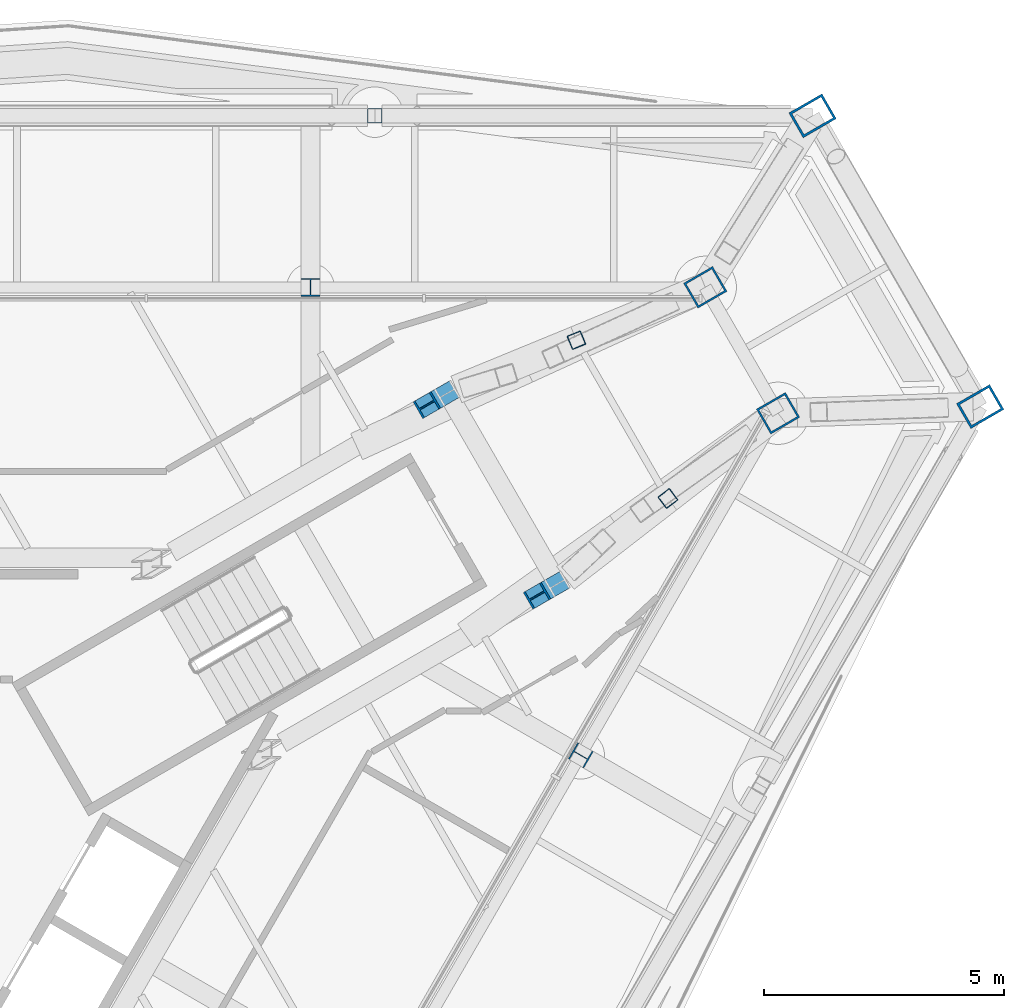
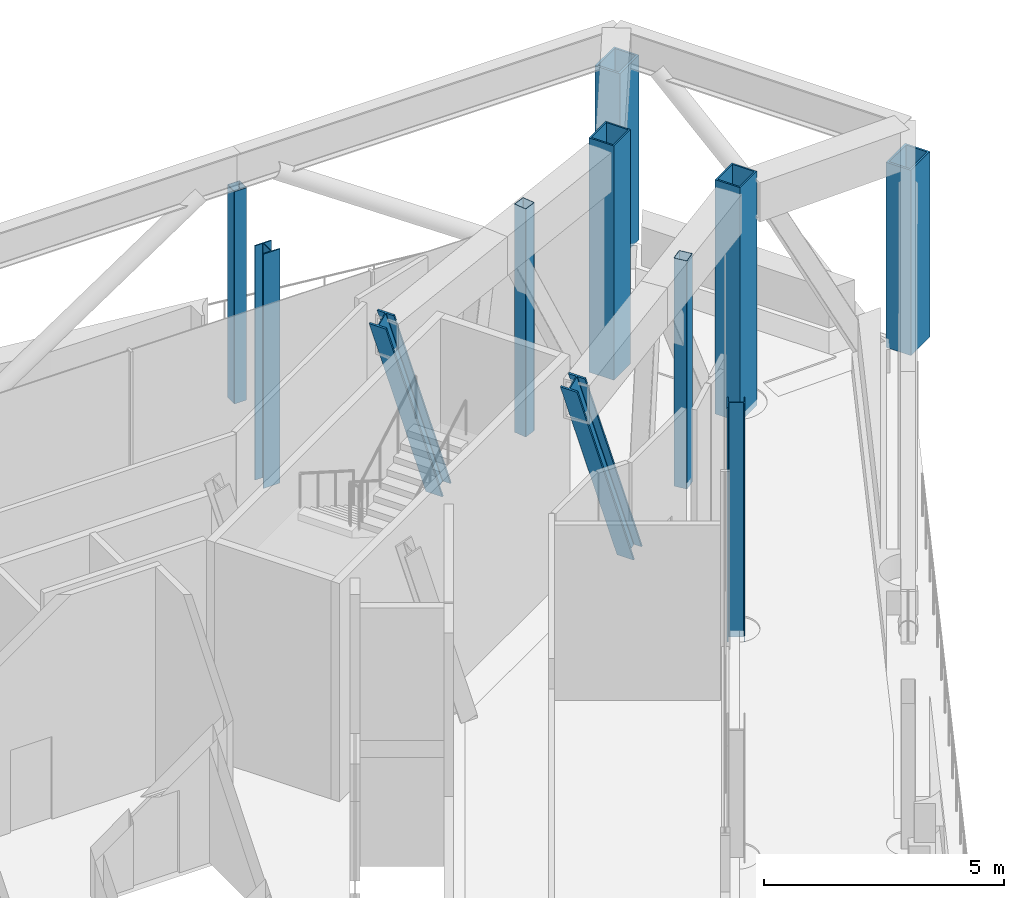
# One storey, part 4 of 25: 11 columns.
"""IFC4 building model written with IfcOpenShell, lengths in metres."""

import ifcopenshell
import ifcopenshell.guid

model = None  # the IFC model being written
_history = None  # IfcOwnerHistory: only IFC2X3 demands one
_inside = {}  # id of a spatial element -> (the spatial element, [elements in it])
_under = {}  # id of a project, library or spatial element -> (it, [spatial elements below it])
_declared = {}  # id of a project -> (the project, [libraries it declares])
_typed = {}  # id of a type object -> (the type object, [elements of that type])
_made_of = {}  # id of a material, layer set ... -> (it, [elements and type objects made of it])


def new_model(schema):
    """Start an empty IFC model of exactly this schema.

    Asked for "IFC4X3", IfcOpenShell would pick the latest addendum, in which some entities
    have other attributes; the version numbers below select the first issue.
    IFC2X3 requires an IfcOwnerHistory on every rooted entity: one is made here for all.
    """
    global model, _history
    if schema == "IFC4X3":
        model = ifcopenshell.file(schema_version=(4, 3, 0, 0))
    else:
        model = ifcopenshell.file(schema=schema)
    _inside.clear()
    _under.clear()
    _declared.clear()
    _typed.clear()
    _made_of.clear()
    _history = None
    if model.schema == "IFC2X3":
        org = make("IfcOrganization", Name="unknown")
        user = make(
            "IfcPersonAndOrganization",
            ThePerson=make("IfcPerson", FamilyName="unknown"),
            TheOrganization=org,
        )
        app = make(
            "IfcApplication",
            ApplicationDeveloper=org,
            Version="unknown",
            ApplicationFullName="unknown",
            ApplicationIdentifier="unknown",
        )
        _history = make(
            "IfcOwnerHistory",
            OwningUser=user,
            OwningApplication=app,
            ChangeAction="ADDED",
            CreationDate=0,
        )
    return model


def make(cls, **values):
    """One entity of the class cls with the attributes given. An attribute that is None is left unset."""
    return model.create_entity(
        cls, **{name: value for name, value in values.items() if value is not None}
    )


def rooted(cls, **values):
    """An entity with a GlobalId (a new one), such as an element, a storey or a relation."""
    return make(cls, GlobalId=ifcopenshell.guid.new(), OwnerHistory=_history, **values)


def si_unit(unit_type, name, prefix=None):
    """IfcSIUnit, for example si_unit("LENGTHUNIT", "METRE", prefix="MILLI")."""
    return make("IfcSIUnit", UnitType=unit_type, Prefix=prefix, Name=name)


def assignment(units):
    """IfcUnitAssignment: the units of a project."""
    return None if units is None else make("IfcUnitAssignment", Units=units)


def point(xyz):
    """IfcCartesianPoint."""
    return None if xyz is None else make("IfcCartesianPoint", Coordinates=xyz)


def direction(xyz):
    """IfcDirection."""
    return None if xyz is None else make("IfcDirection", DirectionRatios=xyz)


def frame(location, z_axis=None, x_axis=None):
    """IfcAxis2Placement3D, a coordinate frame: its origin and axes. An axis left out is left unset."""
    return make(
        "IfcAxis2Placement3D",
        Location=point(location),
        Axis=direction(z_axis),
        RefDirection=direction(x_axis),
    )


def frame_2d(location, x_axis=None):
    """IfcAxis2Placement2D, a coordinate frame in the plane: its origin and x axis."""
    return make(
        "IfcAxis2Placement2D", Location=point(location), RefDirection=direction(x_axis)
    )


def origin():
    """The frame at (0, 0, 0) with its axes left unset."""
    return frame((0.0, 0.0, 0.0))


def origin_2d():
    """The frame at (0, 0) in the plane with its x axis left unset."""
    return frame_2d((0.0, 0.0))


def place(relative_to, where):
    """IfcLocalPlacement: puts the frame where relative to a parent placement (None: the world)."""
    return make(
        "IfcLocalPlacement", PlacementRelTo=relative_to, RelativePlacement=where
    )


def context(
    kind, dimensions, precision=None, world=None, true_north=None, identifier=None
):
    """IfcGeometricRepresentationContext, for example the 3D "Model" context."""
    return make(
        "IfcGeometricRepresentationContext",
        ContextIdentifier=identifier,
        ContextType=kind,
        CoordinateSpaceDimension=dimensions,
        Precision=precision,
        WorldCoordinateSystem=world,
        TrueNorth=true_north,
    )


def subcontext(parent, identifier, kind, view, scale=None):
    """IfcGeometricRepresentationSubContext, for example "Body" below "Model"."""
    return make(
        "IfcGeometricRepresentationSubContext",
        ContextIdentifier=identifier,
        ContextType=kind,
        ParentContext=parent,
        TargetScale=scale,
        TargetView=view,
    )


def project(units=None, contexts=None):
    """IfcProject with its units and contexts."""
    return rooted(
        "IfcProject",
        Name="project",
        RepresentationContexts=contexts,
        UnitsInContext=assignment(units),
    )


def spatial(cls, under=None, at=None, **own):
    """A site, building, storey or space (cls), placed at a placement, below another one or the project."""
    s = rooted(cls, ObjectPlacement=at, **own)
    if under is not None:
        _under.setdefault(under.id(), (under, []))[1].append(s)
    return s


def profile(cls, at=None, kind="AREA", **sizes):
    """A parametric profile (cls). Its sizes go by their IFC names, for example OverallWidth=200.0."""
    return make(cls, ProfileType=kind, Position=at, **sizes)


def hollow_rectangle(**sizes):
    """IfcRectangleHollowProfileDef."""
    return profile("IfcRectangleHollowProfileDef", **sizes)


def i_section(**sizes):
    """IfcIShapeProfileDef."""
    return profile("IfcIShapeProfileDef", **sizes)


def extrude(swept, where, along, depth):
    """IfcExtrudedAreaSolid: the profile swept, set in the frame where, extruded along a direction by depth."""
    return make(
        "IfcExtrudedAreaSolid",
        SweptArea=swept,
        Position=where,
        ExtrudedDirection=direction(along),
        Depth=depth,
    )


def shape(context_of_items, identifier, shape_type, items):
    """IfcShapeRepresentation: the items that make up one representation, for example the "Body"."""
    return make(
        "IfcShapeRepresentation",
        ContextOfItems=context_of_items,
        RepresentationIdentifier=identifier,
        RepresentationType=shape_type,
        Items=items,
    )


def material(Name=None, Category=None):
    """IfcMaterial."""
    return make("IfcMaterial", Name=Name, Category=Category)


def material_profile(
    of_material, cross_section, Name=None, Category=None, Priority=None
):
    """IfcMaterialProfile: a cross section and its material."""
    return make(
        "IfcMaterialProfile",
        Name=Name,
        Material=of_material,
        Profile=cross_section,
        Priority=Priority,
        Category=Category,
    )


def profile_set(profiles, Name=None, composite=None):
    """IfcMaterialProfileSet."""
    return make(
        "IfcMaterialProfileSet",
        Name=Name,
        MaterialProfiles=profiles,
        CompositeProfile=composite,
    )


def made_of(thing, what):
    """Note that an element or type object is made of a material, layer set ...; save() writes the relation."""
    if what is not None:
        _made_of.setdefault(what.id(), (what, []))[1].append(thing)
    return thing


def type_object(cls, material=None, **own):
    """A type object (cls), such as IfcWallType, which elements share."""
    return made_of(rooted(cls, **own), material)


def element(
    cls,
    number,
    at=None,
    inside=None,
    cuts=None,
    type_object=None,
    material=None,
    context=None,
    identifier="Body",
    shape_type=None,
    held_by="IfcProductDefinitionShape",
    body=None,
    shapes=None,
    **own,
):
    """One element of the class cls, such as IfcWall. Its Tag is "e" and its number.

    at: its placement. inside: the storey or other place that contains it. cuts: it is an
    opening in that element (IfcRelVoidsElement). A single representation is given by context,
    identifier, shape_type and body (its items); several are given by shapes. held_by: the class
    of the entity that holds the representations. save() writes the other relations.
    """
    e = rooted(cls, Tag="e%d" % number, ObjectPlacement=at, **own)
    if body is not None:
        shapes = [shape(context, identifier, shape_type, body)]
    if shapes is not None:
        e.Representation = make(held_by, Representations=shapes)
    if inside is not None:
        _inside.setdefault(inside.id(), (inside, []))[1].append(e)
    if cuts is not None:
        rooted(
            "IfcRelVoidsElement", RelatingBuildingElement=cuts, RelatedOpeningElement=e
        )
    if type_object is not None:
        _typed.setdefault(type_object.id(), (type_object, []))[1].append(e)
    return made_of(e, material)


def aggregate(whole, parts):
    """IfcRelAggregates: a whole, such as a stair, and the parts it consists of."""
    return rooted("IfcRelAggregates", RelatingObject=whole, RelatedObjects=parts)


def save(model, path):
    """Write the relations noted so far, then the file.

    IfcRelAggregates (storeys below a building ...), IfcRelContainedInSpatialStructure (elements
    in a storey), IfcRelDefinesByType, IfcRelAssociatesMaterial and IfcRelDeclares: one each for
    every whole, place, type object, material and project.
    """
    for whole, parts in _under.values():
        aggregate(whole, parts)
    for where, things in _inside.values():
        rooted(
            "IfcRelContainedInSpatialStructure",
            RelatedElements=things,
            RelatingStructure=where,
        )
    for kind, things in _typed.values():
        rooted("IfcRelDefinesByType", RelatedObjects=things, RelatingType=kind)
    for what, things in _made_of.values():
        rooted("IfcRelAssociatesMaterial", RelatedObjects=things, RelatingMaterial=what)
    for by, libraries in _declared.values():
        rooted("IfcRelDeclares", RelatingContext=by, RelatedDefinitions=libraries)
    model.write(path)


model = new_model("IFC4")

# Units and contexts
model_context = context("Model", 3, precision=1e-05, world=origin(), true_north=direction((0.0, 1.0)))
body_context = subcontext(model_context, "Body", "Model", "MODEL_VIEW")
ifc_project = project(units=[si_unit("LENGTHUNIT", "METRE"), si_unit("AREAUNIT", "SQUARE_METRE"), si_unit("VOLUMEUNIT", "CUBIC_METRE"), si_unit("PLANEANGLEUNIT", "RADIAN"), si_unit("MASSUNIT", "GRAM", prefix="KILO")], contexts=[model_context])

# Site, building, storey
site_placement = place(None, origin())
site = spatial("IfcSite", under=ifc_project, at=site_placement, CompositionType="ELEMENT")
building_placement = place(site_placement, origin())
building = spatial("IfcBuilding", under=site, at=building_placement, Name="Verrane Prism Tower", CompositionType="ELEMENT")
storey_placement = place(building_placement, frame((0.0, 0.0, 258.199951171875)))
storey = spatial("IfcBuildingStorey", under=building, at=storey_placement, Name="L65", CompositionType="ELEMENT", Elevation=258.199951171875)

# Columns
ifc_material_1 = material(Name="Steel A500 Grade C", Category="steel")
ifc_material_profile_1 = material_profile(ifc_material_1, hollow_rectangle(XDim=0.3046875, YDim=0.3046875, WallThickness=0.0126953125, InnerFilletRadius=0.00634765625, OuterFilletRadius=0.01904296875, at=origin_2d()), Name="HSS12x12x1/2")
ifc_profile_set_1 = profile_set([ifc_material_profile_1], Name="Steel A500 Grade C")
column_type_1 = type_object("IfcColumnType", Name="Belt truss post HSS12x12x1/2", PredefinedType="COLUMN", material=ifc_profile_set_1)
column_placement = place(storey_placement, frame((13.699951171875, 17.22998046875, -0.68994140625), z_axis=(0.0, 0.0, 1.0), x_axis=(1.0, 0.0, 0.0)))
element("IfcColumn", 1, at=column_placement, inside=storey, type_object=column_type_1, Name="Belt truss post L65", PredefinedType="COLUMN", context=body_context, shape_type="SweptSolid", body=[
    extrude(hollow_rectangle(XDim=0.3046875, YDim=0.3046875, WallThickness=0.0126953125, InnerFilletRadius=0.00634765625, OuterFilletRadius=0.01904296875, at=origin_2d()), origin(), (0.0, 0.0, 1.0), 5.39990234375),
])
ifc_material_2 = material(Name="Steel A992", Category="steel")
ifc_material_profile_2 = material_profile(ifc_material_2, i_section(OverallWidth=0.4013671875, OverallDepth=0.398681640625, WebThickness=0.02490234375, FlangeThickness=0.03955078125, FilletRadius=0.01513671875, at=origin_2d()), Name="W14x211")
ifc_profile_set_2 = profile_set([ifc_material_profile_2], Name="Steel A992")
column_type_2 = type_object("IfcColumnType", Name="Core corner column W14x211", PredefinedType="COLUMN", material=ifc_profile_set_2)
for number, where, z_axis, x_axis, name in (
    (2, (17.502197265625, 7.44970703125, 0.050048828125), (-0.331353135415, -0.19118201328, 0.923934271174), (0.50003321387, -0.866006216706, 0.000132867899), "Core corner column CK-NEm L65"),
    (3, (15.2021484375, 11.4296875, 0.050048828125), (-0.331353135415, -0.19118201328, 0.923934271174), (0.50003321387, -0.866006216706, 0.000132867899), "Core corner column CK-NEp L65"),
):
    element("IfcColumn", number, at=place(storey_placement, frame(where, z_axis=z_axis, x_axis=x_axis)), inside=storey, type_object=column_type_2, Name=name, PredefinedType="COLUMN", context=body_context, shape_type="SweptSolid", body=[
        extrude(i_section(OverallWidth=0.4013671875, OverallDepth=0.398681640625, WebThickness=0.02490234375, FlangeThickness=0.03955078125, FilletRadius=0.01513671875, at=origin_2d()), origin(), (0.0, 0.0, 1.0), 6.169189453125),
    ])
ifc_material_3 = material(Name="Steel A572 Grade 50", Category="steel")
ifc_material_profile_3 = material_profile(ifc_material_3, hollow_rectangle(XDim=0.60009765625, YDim=0.699951171875, WallThickness=0.0400390625, at=origin_2d()), Name="BOX 700x600x40")
ifc_profile_set_3 = profile_set([ifc_material_profile_3], Name="Steel A572 Grade 50")
column_type_3 = type_object("IfcColumnType", Name="Megacolumn BOX 700x600x40", PredefinedType="COLUMN", material=ifc_profile_set_3)
for number, where, z_axis, x_axis, name in (
    (4, (20.60009765625, 13.64990234375, -0.159912109375), (0.0, 0.0, 1.0), (0.5, -0.866025403784, 0.0), "Megacolumn MC-NE.b L65"),
    (5, (22.1201171875, 11.02001953125, -0.159912109375), (0.0, 0.0, 1.0), (0.5, -0.866025403784, 0.0), "Megacolumn MC-NE.a L65"),
):
    element("IfcColumn", number, at=place(storey_placement, frame(where, z_axis=z_axis, x_axis=x_axis)), inside=storey, type_object=column_type_3, Name=name, PredefinedType="COLUMN", context=body_context, shape_type="SweptSolid", body=[
        extrude(hollow_rectangle(XDim=0.60009765625, YDim=0.699951171875, WallThickness=0.0400390625, at=origin_2d()), origin(), (0.0, 0.0, 1.0), 5.9599609375),
    ])
ifc_material_4 = material(Name="Steel A572 Grade 50", Category="steel")
ifc_material_profile_4 = material_profile(ifc_material_4, hollow_rectangle(XDim=0.60009765625, YDim=0.800048828125, WallThickness=0.050048828125, at=origin_2d()), Name="BOX 800x600x50")
ifc_profile_set_4 = profile_set([ifc_material_profile_4], Name="Steel A572 Grade 50")
column_type_4 = type_object("IfcColumnType", Name="Megacolumn BOX 800x600x50", PredefinedType="COLUMN", material=ifc_profile_set_4)
for number, where, z_axis, x_axis, name in (
    (6, (22.840087890625, 17.22998046875, 0.0), (0.0, 0.0, 1.0), (0.5, -0.866025403784, 0.0), "Megacolumn MC-NE.b@out L65"),
    (7, (26.340087890625, 11.159912109375, 0.0), (0.0, 0.0, 1.0), (0.5, -0.866025403784, 0.0), "Megacolumn MC-NE.a@out L65"),
):
    element("IfcColumn", number, at=place(storey_placement, frame(where, z_axis=z_axis, x_axis=x_axis)), inside=storey, type_object=column_type_4, Name=name, PredefinedType="COLUMN", context=body_context, shape_type="SweptSolid", body=[
        extrude(hollow_rectangle(XDim=0.60009765625, YDim=0.800048828125, WallThickness=0.050048828125, at=origin_2d()), origin(), (0.0, 0.0, 1.0), 4.7099609375),
    ])
ifc_material_5 = material(Name="Steel A500 Grade C", Category="steel")
ifc_material_profile_5 = material_profile(ifc_material_5, hollow_rectangle(XDim=0.3046875, YDim=0.3046875, WallThickness=0.0126953125, InnerFilletRadius=0.00634765625, OuterFilletRadius=0.01904296875, at=origin_2d()), Name="HSS12x12x1/2")
ifc_profile_set_5 = profile_set([ifc_material_profile_5], Name="Steel A500 Grade C")
column_type_5 = type_object("IfcColumnType", Name="Outrigger truss post HSS12x12x1/2", PredefinedType="COLUMN", material=ifc_profile_set_5)
for number, where, z_axis, x_axis, name in (
    (8, (19.820068359375, 9.239990234375, -0.159912109375), (0.0, 0.0, 1.0), (-0.612035101988, 0.790830597495, 0.0), "Outrigger truss post L65"),
    (9, (17.909912109375, 12.544921875, -0.159912109375), (0.0, 0.0, 1.0), (-0.379971220482, 0.924998308974, 0.0), "Outrigger truss post L65"),
):
    element("IfcColumn", number, at=place(storey_placement, frame(where, z_axis=z_axis, x_axis=x_axis)), inside=storey, type_object=column_type_5, Name=name, PredefinedType="COLUMN", context=body_context, shape_type="SweptSolid", body=[
        extrude(hollow_rectangle(XDim=0.3046875, YDim=0.3046875, WallThickness=0.0126953125, InnerFilletRadius=0.00634765625, OuterFilletRadius=0.01904296875, at=origin_2d()), origin(), (0.0, 0.0, 1.0), 5.800048828125),
    ])
ifc_material_6 = material(Name="Steel A992", Category="steel")
ifc_material_profile_6 = material_profile(ifc_material_6, i_section(OverallWidth=0.393798828125, OverallDepth=0.3759765625, WebThickness=0.017333984375, FlangeThickness=0.027587890625, FilletRadius=0.01513671875, at=origin_2d()), Name="W14x145")
ifc_profile_set_6 = profile_set([ifc_material_profile_6], Name="Steel A992")
column_type_6 = type_object("IfcColumnType", Name="Perimeter column W14x145", PredefinedType="COLUMN", material=ifc_profile_set_6)
for number, where, z_axis, x_axis, name in (
    (10, (12.360107421875, 13.64990234375, -0.159912109375), (0.0, 0.0, 1.0), (1.0, 0.0, 0.0), "Perimeter column PC-N1 L65"),
    (11, (18.0, 3.8798828125, -0.159912109375), (0.0, 0.0, 1.0), (-0.5, -0.866025403784, 0.0), "Perimeter column PC-SE4 L65"),
):
    element("IfcColumn", number, at=place(storey_placement, frame(where, z_axis=z_axis, x_axis=x_axis)), inside=storey, type_object=column_type_6, Name=name, PredefinedType="COLUMN", context=body_context, shape_type="SweptSolid", body=[
        extrude(i_section(OverallWidth=0.393798828125, OverallDepth=0.3759765625, WebThickness=0.017333984375, FlangeThickness=0.027587890625, FilletRadius=0.01513671875, at=origin_2d()), origin(), (0.0, 0.0, 1.0), 5.9599609375),
    ])

save(model, "model.ifc")
